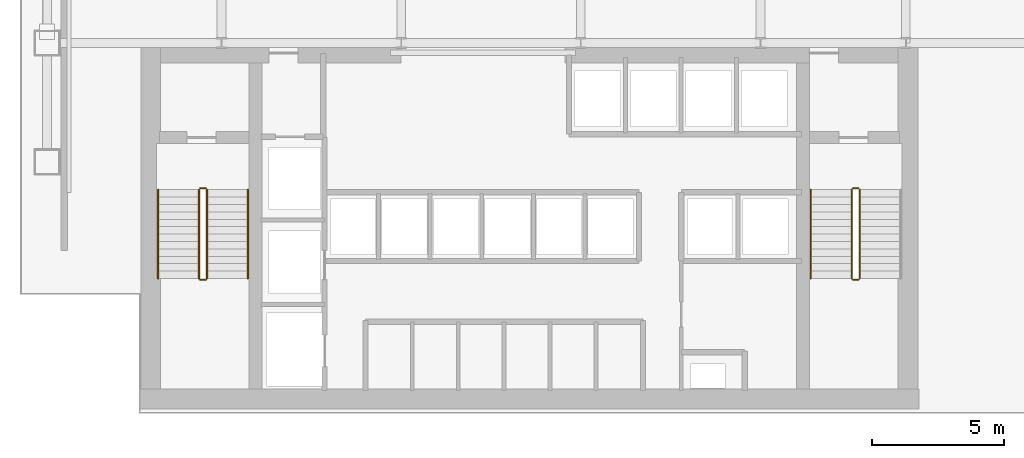
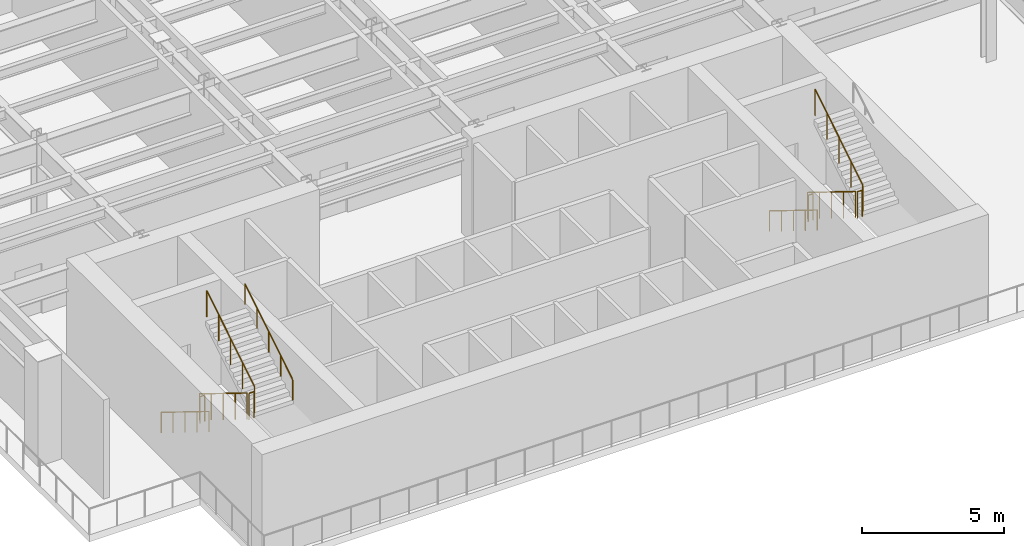
# One storey, part 12 of 14: 11 railings.
"""IFC4 building model written with IfcOpenShell, lengths in metres."""

from ifc_helpers import new_model, si_unit, derived_unit, direction, frame, origin, origin_2d, place, context, subcontext, project, spatial, circle, extrude, material, type_object, element, save


model = new_model("IFC4")

# Units and contexts
model_context = context("Model", 3, precision=1e-05, world=origin(), true_north=direction((0.0, 1.0)))
body_context = subcontext(model_context, "Body", "Model", "MODEL_VIEW")
ifc_project = project(units=[si_unit("LENGTHUNIT", "METRE"), si_unit("AREAUNIT", "SQUARE_METRE"), si_unit("VOLUMEUNIT", "CUBIC_METRE"), si_unit("PLANEANGLEUNIT", "RADIAN"), si_unit("MASSUNIT", "GRAM", prefix="KILO"), derived_unit("THERMALTRANSMITTANCEUNIT", [(si_unit("POWERUNIT", "WATT"), 1), (si_unit("LENGTHUNIT", "METRE"), -2), (si_unit("THERMODYNAMICTEMPERATUREUNIT", "KELVIN"), -1)])], contexts=[model_context])

# Site, building, storey
site_placement = place(None, origin())
site = spatial("IfcSite", under=ifc_project, at=site_placement, CompositionType="ELEMENT")
building_placement = place(site_placement, origin())
building = spatial("IfcBuilding", under=site, at=building_placement, Name="Skarnbrae Concourse Arena and Tower", CompositionType="ELEMENT")
storey_placement = place(building_placement, frame((0.0, 0.0, 84.14990234375)))
storey = spatial("IfcBuildingStorey", under=building, at=storey_placement, Name="L20", CompositionType="ELEMENT", Elevation=84.14990234375)

# Railings
ifc_material = material(Name="Steel CSA G40.21 350W", Category="steel")
railing_type_1 = type_object("IfcRailingType", Name="RAIL-HANDRAIL-900", PredefinedType="HANDRAIL", material=ifc_material)
railing_1_placement = place(storey_placement, frame((5.199951171875, 8.449951171875, 0.173095703125)))
element("IfcRailing", 1, at=railing_1_placement, inside=storey, type_object=railing_type_1, Name="L20 ST-1 stair handrail 1", PredefinedType="HANDRAIL", context=body_context, shape_type="SweptSolid", body=[
    extrude(circle(Radius=0.02392578125, at=origin_2d()), frame((0.0, 0.0, 0.8759765625), z_axis=(0.0, -0.850606129759, 0.525803396734), x_axis=(1.0, 0.0, 0.0)), (0.0, 0.0, 1.0), 3.949951171875),
    extrude(circle(Radius=0.02099609375, at=origin_2d()), origin(), (0.0, 0.0, 1.0), 0.851806640625),
    extrude(circle(Radius=0.02099609375, at=origin_2d()), frame((0.0, -0.83984375, 0.519287109375)), (0.0, 0.0, 1.0), 0.851806640625),
    extrude(circle(Radius=0.02099609375, at=origin_2d()), frame((0.0, -1.679931640625, 1.03857421875)), (0.0, 0.0, 1.0), 0.851806640625),
    extrude(circle(Radius=0.02099609375, at=origin_2d()), frame((0.0, -2.52001953125, 1.5576171875)), (0.0, 0.0, 1.0), 0.851806640625),
    extrude(circle(Radius=0.02099609375, at=origin_2d()), frame((0.0, -3.35986328125, 2.076904296875)), (0.0, 0.0, 1.0), 0.851806640625),
])
railing_2_placement = place(storey_placement, frame((8.60009765625, 5.090087890625, 2.423095703125)))
element("IfcRailing", 2, at=railing_2_placement, inside=storey, type_object=railing_type_1, Name="L20 ST-1 stair handrail 2", PredefinedType="HANDRAIL", context=body_context, shape_type="SweptSolid", body=[
    extrude(circle(Radius=0.02392578125, at=origin_2d()), frame((0.0, 0.0, 0.8759765625), z_axis=(0.0, 0.850606129759, 0.525803396734), x_axis=(-1.0, 0.0, 0.0)), (0.0, 0.0, 1.0), 3.949951171875),
    extrude(circle(Radius=0.02099609375, at=origin_2d()), origin(), (0.0, 0.0, 1.0), 0.851806640625),
    extrude(circle(Radius=0.02099609375, at=origin_2d()), frame((0.0, 0.83984375, 0.519287109375)), (0.0, 0.0, 1.0), 0.851806640625),
    extrude(circle(Radius=0.02099609375, at=origin_2d()), frame((0.0, 1.679931640625, 1.03857421875)), (0.0, 0.0, 1.0), 0.851806640625),
    extrude(circle(Radius=0.02099609375, at=origin_2d()), frame((0.0, 2.52001953125, 1.5576171875)), (0.0, 0.0, 1.0), 0.851806640625),
    extrude(circle(Radius=0.02099609375, at=origin_2d()), frame((0.0, 3.35986328125, 2.076904296875)), (0.0, 0.0, 1.0), 0.851806640625),
])
railing_3_placement = place(storey_placement, frame((29.89990234375, 8.449951171875, 0.173095703125)))
element("IfcRailing", 3, at=railing_3_placement, inside=storey, type_object=railing_type_1, Name="L20 ST-2 stair handrail 1", PredefinedType="HANDRAIL", context=body_context, shape_type="SweptSolid", body=[
    extrude(circle(Radius=0.02392578125, at=origin_2d()), frame((0.0, 0.0, 0.8759765625), z_axis=(0.0, -0.850606129759, 0.525803396734), x_axis=(1.0, 0.0, 0.0)), (0.0, 0.0, 1.0), 3.949951171875),
    extrude(circle(Radius=0.02099609375, at=origin_2d()), origin(), (0.0, 0.0, 1.0), 0.851806640625),
    extrude(circle(Radius=0.02099609375, at=origin_2d()), frame((0.0, -0.83984375, 0.519287109375)), (0.0, 0.0, 1.0), 0.851806640625),
    extrude(circle(Radius=0.02099609375, at=origin_2d()), frame((0.0, -1.679931640625, 1.03857421875)), (0.0, 0.0, 1.0), 0.851806640625),
    extrude(circle(Radius=0.02099609375, at=origin_2d()), frame((0.0, -2.52001953125, 1.5576171875)), (0.0, 0.0, 1.0), 0.851806640625),
    extrude(circle(Radius=0.02099609375, at=origin_2d()), frame((0.0, -3.35986328125, 2.076904296875)), (0.0, 0.0, 1.0), 0.851806640625),
])
railing_type_2 = type_object("IfcRailingType", Name="RAIL-STAIR-GUARD-1150", PredefinedType="GUARDRAIL", material=ifc_material)
railing_4_placement = place(storey_placement, frame((6.75, 8.449951171875, 0.173095703125)))
element("IfcRailing", 4, at=railing_4_placement, inside=storey, type_object=railing_type_2, Name="L20 ST-1 stair guard 1", PredefinedType="GUARDRAIL", context=body_context, shape_type="SweptSolid", body=[
    extrude(circle(Radius=0.02392578125, at=origin_2d()), frame((0.0, 0.0, 1.1259765625), z_axis=(0.0, -0.850606129759, 0.525803396734), x_axis=(1.0, 0.0, 0.0)), (0.0, 0.0, 1.0), 3.949951171875),
    extrude(circle(Radius=0.02099609375, at=origin_2d()), origin(), (0.0, 0.0, 1.0), 1.101806640625),
    extrude(circle(Radius=0.02099609375, at=origin_2d()), frame((0.0, -0.83984375, 0.519287109375)), (0.0, 0.0, 1.0), 1.101806640625),
    extrude(circle(Radius=0.02099609375, at=origin_2d()), frame((0.0, -1.679931640625, 1.03857421875)), (0.0, 0.0, 1.0), 1.101806640625),
    extrude(circle(Radius=0.02099609375, at=origin_2d()), frame((0.0, -2.52001953125, 1.5576171875)), (0.0, 0.0, 1.0), 1.101806640625),
    extrude(circle(Radius=0.02099609375, at=origin_2d()), frame((0.0, -3.35986328125, 2.076904296875)), (0.0, 0.0, 1.0), 1.101806640625),
])
railing_5_placement = place(storey_placement, frame((6.800048828125, 5.0400390625, 2.25)))
element("IfcRailing", 5, at=railing_5_placement, inside=storey, type_object=railing_type_2, Name="L20 ST-1 stair guard 2", PredefinedType="GUARDRAIL", context=body_context, shape_type="SweptSolid", body=[
    extrude(circle(Radius=0.02392578125, at=origin_2d()), frame((0.0, 0.0, 1.1259765625), z_axis=(1.0, 0.0, 0.0), x_axis=(0.0, 1.0, 0.0)), (0.0, 0.0, 1.0), 0.199951171875),
    extrude(circle(Radius=0.02099609375, at=origin_2d()), origin(), (0.0, 0.0, 1.0), 1.101806640625),
    extrude(circle(Radius=0.02099609375, at=origin_2d()), frame((0.199951171875, 0.0, 0.0)), (0.0, 0.0, 1.0), 1.101806640625),
])
railing_6_placement = place(storey_placement, frame((7.050048828125, 5.090087890625, 2.423095703125)))
element("IfcRailing", 6, at=railing_6_placement, inside=storey, type_object=railing_type_2, Name="L20 ST-1 stair guard 3", PredefinedType="GUARDRAIL", context=body_context, shape_type="SweptSolid", body=[
    extrude(circle(Radius=0.02392578125, at=origin_2d()), frame((0.0, 0.0, 1.1259765625), z_axis=(0.0, 0.850606129759, 0.525803396734), x_axis=(-1.0, 0.0, 0.0)), (0.0, 0.0, 1.0), 3.949951171875),
    extrude(circle(Radius=0.02099609375, at=origin_2d()), origin(), (0.0, 0.0, 1.0), 1.101806640625),
    extrude(circle(Radius=0.02099609375, at=origin_2d()), frame((0.0, 0.83984375, 0.519287109375)), (0.0, 0.0, 1.0), 1.101806640625),
    extrude(circle(Radius=0.02099609375, at=origin_2d()), frame((0.0, 1.679931640625, 1.03857421875)), (0.0, 0.0, 1.0), 1.101806640625),
    extrude(circle(Radius=0.02099609375, at=origin_2d()), frame((0.0, 2.52001953125, 1.5576171875)), (0.0, 0.0, 1.0), 1.101806640625),
    extrude(circle(Radius=0.02099609375, at=origin_2d()), frame((0.0, 3.35986328125, 2.076904296875)), (0.0, 0.0, 1.0), 1.101806640625),
])
railing_7_placement = place(storey_placement, frame((6.800048828125, 8.5, 0.0)))
element("IfcRailing", 7, at=railing_7_placement, inside=storey, type_object=railing_type_2, Name="L20 ST-1 stair guard 4", PredefinedType="GUARDRAIL", context=body_context, shape_type="SweptSolid", body=[
    extrude(circle(Radius=0.02392578125, at=origin_2d()), frame((0.0, 0.0, 1.1259765625), z_axis=(1.0, 0.0, 0.0), x_axis=(0.0, 1.0, 0.0)), (0.0, 0.0, 1.0), 0.199951171875),
    extrude(circle(Radius=0.02099609375, at=origin_2d()), origin(), (0.0, 0.0, 1.0), 1.101806640625),
    extrude(circle(Radius=0.02099609375, at=origin_2d()), frame((0.199951171875, 0.0, 0.0)), (0.0, 0.0, 1.0), 1.101806640625),
])
railing_8_placement = place(storey_placement, frame((31.449951171875, 8.449951171875, 0.173095703125)))
element("IfcRailing", 8, at=railing_8_placement, inside=storey, type_object=railing_type_2, Name="L20 ST-2 stair guard 1", PredefinedType="GUARDRAIL", context=body_context, shape_type="SweptSolid", body=[
    extrude(circle(Radius=0.02392578125, at=origin_2d()), frame((0.0, 0.0, 1.1259765625), z_axis=(0.0, -0.850606129759, 0.525803396734), x_axis=(1.0, 0.0, 0.0)), (0.0, 0.0, 1.0), 3.949951171875),
    extrude(circle(Radius=0.02099609375, at=origin_2d()), origin(), (0.0, 0.0, 1.0), 1.101806640625),
    extrude(circle(Radius=0.02099609375, at=origin_2d()), frame((0.0, -0.83984375, 0.519287109375)), (0.0, 0.0, 1.0), 1.101806640625),
    extrude(circle(Radius=0.02099609375, at=origin_2d()), frame((0.0, -1.679931640625, 1.03857421875)), (0.0, 0.0, 1.0), 1.101806640625),
    extrude(circle(Radius=0.02099609375, at=origin_2d()), frame((0.0, -2.52001953125, 1.5576171875)), (0.0, 0.0, 1.0), 1.101806640625),
    extrude(circle(Radius=0.02099609375, at=origin_2d()), frame((0.0, -3.35986328125, 2.076904296875)), (0.0, 0.0, 1.0), 1.101806640625),
])
railing_9_placement = place(storey_placement, frame((31.5, 5.0400390625, 2.25)))
element("IfcRailing", 9, at=railing_9_placement, inside=storey, type_object=railing_type_2, Name="L20 ST-2 stair guard 2", PredefinedType="GUARDRAIL", context=body_context, shape_type="SweptSolid", body=[
    extrude(circle(Radius=0.02392578125, at=origin_2d()), frame((0.0, 0.0, 1.1259765625), z_axis=(1.0, 0.0, 0.0), x_axis=(0.0, 1.0, 0.0)), (0.0, 0.0, 1.0), 0.199951171875),
    extrude(circle(Radius=0.02099609375, at=origin_2d()), origin(), (0.0, 0.0, 1.0), 1.101806640625),
    extrude(circle(Radius=0.02099609375, at=origin_2d()), frame((0.199951171875, 0.0, 0.0)), (0.0, 0.0, 1.0), 1.101806640625),
])
railing_10_placement = place(storey_placement, frame((31.75, 5.090087890625, 2.423095703125)))
element("IfcRailing", 10, at=railing_10_placement, inside=storey, type_object=railing_type_2, Name="L20 ST-2 stair guard 3", PredefinedType="GUARDRAIL", context=body_context, shape_type="SweptSolid", body=[
    extrude(circle(Radius=0.02392578125, at=origin_2d()), frame((0.0, 0.0, 1.1259765625), z_axis=(0.0, 0.850606129759, 0.525803396734), x_axis=(-1.0, 0.0, 0.0)), (0.0, 0.0, 1.0), 3.949951171875),
    extrude(circle(Radius=0.02099609375, at=origin_2d()), origin(), (0.0, 0.0, 1.0), 1.101806640625),
    extrude(circle(Radius=0.02099609375, at=origin_2d()), frame((0.0, 0.83984375, 0.519287109375)), (0.0, 0.0, 1.0), 1.101806640625),
    extrude(circle(Radius=0.02099609375, at=origin_2d()), frame((0.0, 1.679931640625, 1.03857421875)), (0.0, 0.0, 1.0), 1.101806640625),
    extrude(circle(Radius=0.02099609375, at=origin_2d()), frame((0.0, 2.52001953125, 1.5576171875)), (0.0, 0.0, 1.0), 1.101806640625),
    extrude(circle(Radius=0.02099609375, at=origin_2d()), frame((0.0, 3.35986328125, 2.076904296875)), (0.0, 0.0, 1.0), 1.101806640625),
])
railing_11_placement = place(storey_placement, frame((31.5, 8.5, 0.0)))
element("IfcRailing", 11, at=railing_11_placement, inside=storey, type_object=railing_type_2, Name="L20 ST-2 stair guard 4", PredefinedType="GUARDRAIL", context=body_context, shape_type="SweptSolid", body=[
    extrude(circle(Radius=0.02392578125, at=origin_2d()), frame((0.0, 0.0, 1.1259765625), z_axis=(1.0, 0.0, 0.0), x_axis=(0.0, 1.0, 0.0)), (0.0, 0.0, 1.0), 0.199951171875),
    extrude(circle(Radius=0.02099609375, at=origin_2d()), origin(), (0.0, 0.0, 1.0), 1.101806640625),
    extrude(circle(Radius=0.02099609375, at=origin_2d()), frame((0.199951171875, 0.0, 0.0)), (0.0, 0.0, 1.0), 1.101806640625),
])

save(model, "model.ifc")
